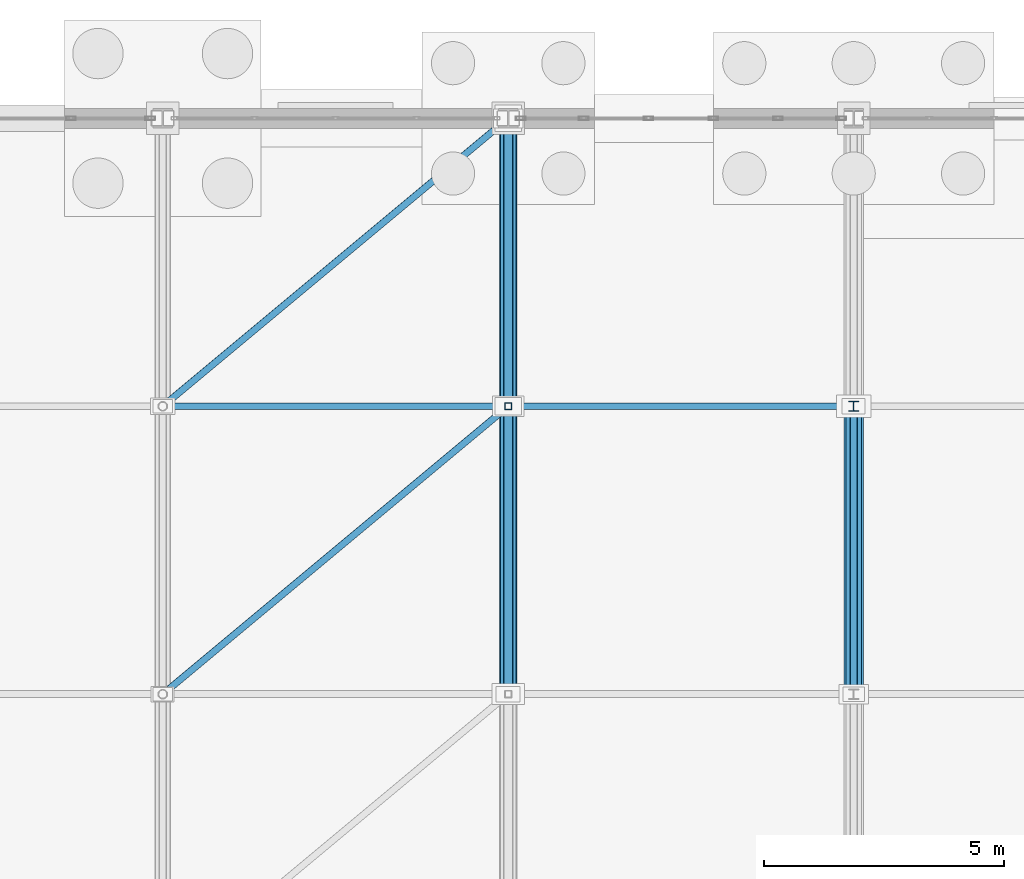
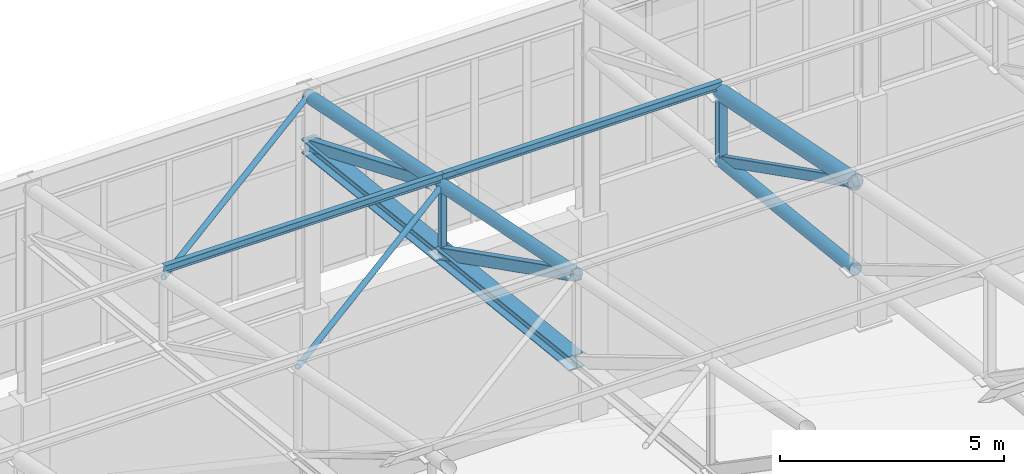
# One storey, part 213 of 293: 15 members.
"""IFC4 building model written with IfcOpenShell, lengths in metres."""

import ifcopenshell
import ifcopenshell.guid

model = None  # the IFC model being written
_history = None  # IfcOwnerHistory: only IFC2X3 demands one
_inside = {}  # id of a spatial element -> (the spatial element, [elements in it])
_under = {}  # id of a project, library or spatial element -> (it, [spatial elements below it])
_declared = {}  # id of a project -> (the project, [libraries it declares])
_typed = {}  # id of a type object -> (the type object, [elements of that type])
_made_of = {}  # id of a material, layer set ... -> (it, [elements and type objects made of it])


def new_model(schema):
    """Start an empty IFC model of exactly this schema.

    Asked for "IFC4X3", IfcOpenShell would pick the latest addendum, in which some entities
    have other attributes; the version numbers below select the first issue.
    IFC2X3 requires an IfcOwnerHistory on every rooted entity: one is made here for all.
    """
    global model, _history
    if schema == "IFC4X3":
        model = ifcopenshell.file(schema_version=(4, 3, 0, 0))
    else:
        model = ifcopenshell.file(schema=schema)
    _inside.clear()
    _under.clear()
    _declared.clear()
    _typed.clear()
    _made_of.clear()
    _history = None
    if model.schema == "IFC2X3":
        org = make("IfcOrganization", Name="unknown")
        user = make(
            "IfcPersonAndOrganization",
            ThePerson=make("IfcPerson", FamilyName="unknown"),
            TheOrganization=org,
        )
        app = make(
            "IfcApplication",
            ApplicationDeveloper=org,
            Version="unknown",
            ApplicationFullName="unknown",
            ApplicationIdentifier="unknown",
        )
        _history = make(
            "IfcOwnerHistory",
            OwningUser=user,
            OwningApplication=app,
            ChangeAction="ADDED",
            CreationDate=0,
        )
    return model


def make(cls, **values):
    """One entity of the class cls with the attributes given. An attribute that is None is left unset."""
    return model.create_entity(
        cls, **{name: value for name, value in values.items() if value is not None}
    )


def rooted(cls, **values):
    """An entity with a GlobalId (a new one), such as an element, a storey or a relation."""
    return make(cls, GlobalId=ifcopenshell.guid.new(), OwnerHistory=_history, **values)


def si_unit(unit_type, name, prefix=None):
    """IfcSIUnit, for example si_unit("LENGTHUNIT", "METRE", prefix="MILLI")."""
    return make("IfcSIUnit", UnitType=unit_type, Prefix=prefix, Name=name)


def assignment(units):
    """IfcUnitAssignment: the units of a project."""
    return None if units is None else make("IfcUnitAssignment", Units=units)


def point(xyz):
    """IfcCartesianPoint."""
    return None if xyz is None else make("IfcCartesianPoint", Coordinates=xyz)


def direction(xyz):
    """IfcDirection."""
    return None if xyz is None else make("IfcDirection", DirectionRatios=xyz)


def frame(location, z_axis=None, x_axis=None):
    """IfcAxis2Placement3D, a coordinate frame: its origin and axes. An axis left out is left unset."""
    return make(
        "IfcAxis2Placement3D",
        Location=point(location),
        Axis=direction(z_axis),
        RefDirection=direction(x_axis),
    )


def frame_2d(location, x_axis=None):
    """IfcAxis2Placement2D, a coordinate frame in the plane: its origin and x axis."""
    return make(
        "IfcAxis2Placement2D", Location=point(location), RefDirection=direction(x_axis)
    )


def origin():
    """The frame at (0, 0, 0) with its axes left unset."""
    return frame((0.0, 0.0, 0.0))


def origin_2d():
    """The frame at (0, 0) in the plane with its x axis left unset."""
    return frame_2d((0.0, 0.0))


def place(relative_to, where):
    """IfcLocalPlacement: puts the frame where relative to a parent placement (None: the world)."""
    return make(
        "IfcLocalPlacement", PlacementRelTo=relative_to, RelativePlacement=where
    )


def context(
    kind, dimensions, precision=None, world=None, true_north=None, identifier=None
):
    """IfcGeometricRepresentationContext, for example the 3D "Model" context."""
    return make(
        "IfcGeometricRepresentationContext",
        ContextIdentifier=identifier,
        ContextType=kind,
        CoordinateSpaceDimension=dimensions,
        Precision=precision,
        WorldCoordinateSystem=world,
        TrueNorth=true_north,
    )


def subcontext(parent, identifier, kind, view, scale=None):
    """IfcGeometricRepresentationSubContext, for example "Body" below "Model"."""
    return make(
        "IfcGeometricRepresentationSubContext",
        ContextIdentifier=identifier,
        ContextType=kind,
        ParentContext=parent,
        TargetScale=scale,
        TargetView=view,
    )


def project(units=None, contexts=None):
    """IfcProject with its units and contexts."""
    return rooted(
        "IfcProject",
        Name="project",
        RepresentationContexts=contexts,
        UnitsInContext=assignment(units),
    )


def spatial(cls, under=None, at=None, **own):
    """A site, building, storey or space (cls), placed at a placement, below another one or the project."""
    s = rooted(cls, ObjectPlacement=at, **own)
    if under is not None:
        _under.setdefault(under.id(), (under, []))[1].append(s)
    return s


def profile(cls, at=None, kind="AREA", **sizes):
    """A parametric profile (cls). Its sizes go by their IFC names, for example OverallWidth=200.0."""
    return make(cls, ProfileType=kind, Position=at, **sizes)


def hollow_rectangle(**sizes):
    """IfcRectangleHollowProfileDef."""
    return profile("IfcRectangleHollowProfileDef", **sizes)


def hollow_circle(**sizes):
    """IfcCircleHollowProfileDef."""
    return profile("IfcCircleHollowProfileDef", **sizes)


def i_section(**sizes):
    """IfcIShapeProfileDef."""
    return profile("IfcIShapeProfileDef", **sizes)


def extrude(swept, where, along, depth):
    """IfcExtrudedAreaSolid: the profile swept, set in the frame where, extruded along a direction by depth."""
    return make(
        "IfcExtrudedAreaSolid",
        SweptArea=swept,
        Position=where,
        ExtrudedDirection=direction(along),
        Depth=depth,
    )


def shape(context_of_items, identifier, shape_type, items):
    """IfcShapeRepresentation: the items that make up one representation, for example the "Body"."""
    return make(
        "IfcShapeRepresentation",
        ContextOfItems=context_of_items,
        RepresentationIdentifier=identifier,
        RepresentationType=shape_type,
        Items=items,
    )


def material(Name=None, Category=None):
    """IfcMaterial."""
    return make("IfcMaterial", Name=Name, Category=Category)


def material_profile(
    of_material, cross_section, Name=None, Category=None, Priority=None
):
    """IfcMaterialProfile: a cross section and its material."""
    return make(
        "IfcMaterialProfile",
        Name=Name,
        Material=of_material,
        Profile=cross_section,
        Priority=Priority,
        Category=Category,
    )


def profile_set(profiles, Name=None, composite=None):
    """IfcMaterialProfileSet."""
    return make(
        "IfcMaterialProfileSet",
        Name=Name,
        MaterialProfiles=profiles,
        CompositeProfile=composite,
    )


def made_of(thing, what):
    """Note that an element or type object is made of a material, layer set ...; save() writes the relation."""
    if what is not None:
        _made_of.setdefault(what.id(), (what, []))[1].append(thing)
    return thing


def type_object(cls, material=None, **own):
    """A type object (cls), such as IfcWallType, which elements share."""
    return made_of(rooted(cls, **own), material)


def element(
    cls,
    number,
    at=None,
    inside=None,
    cuts=None,
    type_object=None,
    material=None,
    context=None,
    identifier="Body",
    shape_type=None,
    held_by="IfcProductDefinitionShape",
    body=None,
    shapes=None,
    **own,
):
    """One element of the class cls, such as IfcWall. Its Tag is "e" and its number.

    at: its placement. inside: the storey or other place that contains it. cuts: it is an
    opening in that element (IfcRelVoidsElement). A single representation is given by context,
    identifier, shape_type and body (its items); several are given by shapes. held_by: the class
    of the entity that holds the representations. save() writes the other relations.
    """
    e = rooted(cls, Tag="e%d" % number, ObjectPlacement=at, **own)
    if body is not None:
        shapes = [shape(context, identifier, shape_type, body)]
    if shapes is not None:
        e.Representation = make(held_by, Representations=shapes)
    if inside is not None:
        _inside.setdefault(inside.id(), (inside, []))[1].append(e)
    if cuts is not None:
        rooted(
            "IfcRelVoidsElement", RelatingBuildingElement=cuts, RelatedOpeningElement=e
        )
    if type_object is not None:
        _typed.setdefault(type_object.id(), (type_object, []))[1].append(e)
    return made_of(e, material)


def aggregate(whole, parts):
    """IfcRelAggregates: a whole, such as a stair, and the parts it consists of."""
    return rooted("IfcRelAggregates", RelatingObject=whole, RelatedObjects=parts)


def save(model, path):
    """Write the relations noted so far, then the file.

    IfcRelAggregates (storeys below a building ...), IfcRelContainedInSpatialStructure (elements
    in a storey), IfcRelDefinesByType, IfcRelAssociatesMaterial and IfcRelDeclares: one each for
    every whole, place, type object, material and project.
    """
    for whole, parts in _under.values():
        aggregate(whole, parts)
    for where, things in _inside.values():
        rooted(
            "IfcRelContainedInSpatialStructure",
            RelatedElements=things,
            RelatingStructure=where,
        )
    for kind, things in _typed.values():
        rooted("IfcRelDefinesByType", RelatedObjects=things, RelatingType=kind)
    for what, things in _made_of.values():
        rooted("IfcRelAssociatesMaterial", RelatedObjects=things, RelatingMaterial=what)
    for by, libraries in _declared.values():
        rooted("IfcRelDeclares", RelatingContext=by, RelatedDefinitions=libraries)
    model.write(path)


model = new_model("IFC4")

# Units and contexts
model_context = context("Model", 3, precision=1e-05, world=origin(), true_north=direction((0.0, 1.0)))
body_context = subcontext(model_context, "Body", "Model", "MODEL_VIEW")
ifc_project = project(units=[si_unit("LENGTHUNIT", "METRE"), si_unit("AREAUNIT", "SQUARE_METRE"), si_unit("VOLUMEUNIT", "CUBIC_METRE"), si_unit("PLANEANGLEUNIT", "RADIAN"), si_unit("MASSUNIT", "GRAM", prefix="KILO")], contexts=[model_context])

# Site, building, storey
site_placement = place(None, origin())
site = spatial("IfcSite", under=ifc_project, at=site_placement, CompositionType="ELEMENT")
building_placement = place(site_placement, origin())
building = spatial("IfcBuilding", under=site, at=building_placement, Name="Kemerveld Promenade Tramway Depot", CompositionType="ELEMENT")
storey_placement = place(building_placement, origin())
storey = spatial("IfcBuildingStorey", under=building, at=storey_placement, Name="L00", CompositionType="ELEMENT", Elevation=0.0)

# Members
ifc_material = material(Name="Steel S355", Category="steel")
ifc_material_profile_1 = material_profile(ifc_material, hollow_rectangle(XDim=0.199951171875, YDim=0.300048828125, WallThickness=0.012451171875, InnerFilletRadius=0.00634765625, OuterFilletRadius=0.018798828125, at=origin_2d()), Name="300x200x12.5 RHS")
ifc_profile_set_1 = profile_set([ifc_material_profile_1], Name="Steel S355")
member_type_1 = type_object("IfcMemberType", Name="MB-M01", PredefinedType="BRACE", material=ifc_profile_set_1)
member_1_placement = place(storey_placement, frame((115.199951171875, 138.0, 10.4599609375), z_axis=(0.0, -0.892033434612, 0.451969414379), x_axis=(1.0, 0.0, 0.0)))
element("IfcMember", 1, at=member_1_placement, inside=storey, type_object=member_type_1, Name="TR-17-DG-09", PredefinedType="BRACE", context=body_context, shape_type="SweptSolid", body=[
    extrude(hollow_rectangle(XDim=0.199951171875, YDim=0.300048828125, WallThickness=0.012451171875, InnerFilletRadius=0.00634765625, OuterFilletRadius=0.018798828125, at=origin_2d()), origin(), (0.0, 0.0, 1.0), 6.726318359375),
])
member_2_placement = place(storey_placement, frame((115.199951171875, 144.0, 9.800048828125), z_axis=(0.0, -0.923076923077, 0.384615384615), x_axis=(1.0, 0.0, 0.0)))
element("IfcMember", 2, at=member_2_placement, inside=storey, type_object=member_type_1, Name="TR-17-DG-10", PredefinedType="BRACE", context=body_context, shape_type="SweptSolid", body=[
    extrude(hollow_rectangle(XDim=0.199951171875, YDim=0.300048828125, WallThickness=0.012451171875, InnerFilletRadius=0.00634765625, OuterFilletRadius=0.018798828125, at=origin_2d()), origin(), (0.0, 0.0, 1.0), 6.5),
])
ifc_material_profile_2 = material_profile(ifc_material, hollow_rectangle(XDim=0.14990234375, YDim=0.25, WallThickness=0.010009765625, InnerFilletRadius=0.0048828125, OuterFilletRadius=0.014892578125, at=origin_2d()), Name="250x150x10.0 RHS")
ifc_profile_set_2 = profile_set([ifc_material_profile_2], Name="Steel S355")
member_type_2 = type_object("IfcMemberType", Name="MB-M02", PredefinedType="BRACE", material=ifc_profile_set_2)
member_3_placement = place(storey_placement, frame((122.39990234375, 138.0, 10.4599609375), z_axis=(0.0, -0.892033434612, 0.451969414379), x_axis=(1.0, 0.0, 0.0)))
element("IfcMember", 3, at=member_3_placement, inside=storey, type_object=member_type_2, Name="TR-18-DG-09", PredefinedType="BRACE", context=body_context, shape_type="SweptSolid", body=[
    extrude(hollow_rectangle(XDim=0.14990234375, YDim=0.25, WallThickness=0.010009765625, InnerFilletRadius=0.0048828125, OuterFilletRadius=0.014892578125, at=origin_2d()), origin(), (0.0, 0.0, 1.0), 6.726318359375),
])
ifc_material_profile_3 = material_profile(ifc_material, i_section(OverallWidth=0.37255859375, OverallDepth=0.3681640625, WebThickness=0.014404296875, FlangeThickness=0.023681640625, FilletRadius=0.01513671875, at=origin_2d()), Name="356x368x177 UC")
ifc_profile_set_3 = profile_set([ifc_material_profile_3], Name="Steel S355")
member_type_3 = type_object("IfcMemberType", Name="MB-M08", PredefinedType="CHORD", material=ifc_profile_set_3)
for number, where, z_axis, x_axis, name in (
    (4, (115.199951171875, 132.0, 11.1201171875), (0.0, 0.994001542248, -0.109366055104), (-1.0, 0.0, 0.0), "TR-17-BC-09"),
    (5, (115.199951171875, 138.0, 10.4599609375), (0.0, 0.994005938353, -0.109326092585), (-1.0, 0.0, 0.0), "TR-17-BC-10"),
):
    element("IfcMember", number, at=place(storey_placement, frame(where, z_axis=z_axis, x_axis=x_axis)), inside=storey, type_object=member_type_3, Name=name, PredefinedType="CHORD", context=body_context, shape_type="SweptSolid", body=[
        extrude(i_section(OverallWidth=0.37255859375, OverallDepth=0.3681640625, WebThickness=0.014404296875, FlangeThickness=0.023681640625, FilletRadius=0.01513671875, at=origin_2d()), origin(), (0.0, 0.0, 1.0), 6.0361328125),
    ])
ifc_material_profile_4 = material_profile(ifc_material, i_section(OverallWidth=0.13330078125, OverallDepth=0.203125, WebThickness=0.005615234375, FlangeThickness=0.0078125, FilletRadius=0.007568359375, at=origin_2d()), Name="203x133x25 UB")
ifc_profile_set_4 = profile_set([ifc_material_profile_4], Name="Steel S355")
member_type_4 = type_object("IfcMemberType", Name="MB-PR4", PredefinedType="PURLIN", material=ifc_profile_set_4)
for number, where, z_axis, x_axis, name in (
    (6, (108.0, 138.0, 12.544921875), (1.0, 0.0, 0.0), (0.0, 1.0, 0.0), "PUR-V1-09-16"),
    (7, (115.199951171875, 138.0, 12.544921875), (1.0, 0.0, 0.0), (0.0, 1.0, 0.0), "PUR-V1-09-17"),
):
    element("IfcMember", number, at=place(storey_placement, frame(where, z_axis=z_axis, x_axis=x_axis)), inside=storey, type_object=member_type_4, Name=name, PredefinedType="PURLIN", context=body_context, shape_type="SweptSolid", body=[
        extrude(i_section(OverallWidth=0.13330078125, OverallDepth=0.203125, WebThickness=0.005615234375, FlangeThickness=0.0078125, FilletRadius=0.007568359375, at=origin_2d()), origin(), (0.0, 0.0, 1.0), 7.199951171875),
    ])
ifc_material_profile_5 = material_profile(ifc_material, hollow_circle(Radius=0.06982421875, WallThickness=0.00634765625, at=origin_2d()), Name="139.7x6.3 CHS")
ifc_profile_set_5 = profile_set([ifc_material_profile_5], Name="Steel S355")
member_type_5 = type_object("IfcMemberType", Name="MB-TB3", PredefinedType="BRACE", material=ifc_profile_set_5)
for number, where, z_axis, x_axis, name in (
    (8, (108.0, 132.0, 13.5), (0.761999094998, 0.635003552225, -0.126995542773), (-0.640186961885, 0.768219144407, 0.0), "RBR-V1-08-16"),
    (9, (108.0, 138.0, 12.300048828125), (0.761999094998, 0.635003552225, -0.126995542773), (-0.640186961885, 0.768219144407, 0.0), "RBR-V1-09-16"),
):
    element("IfcMember", number, at=place(storey_placement, frame(where, z_axis=z_axis, x_axis=x_axis)), inside=storey, type_object=member_type_5, Name=name, PredefinedType="BRACE", context=body_context, shape_type="SweptSolid", body=[
        extrude(hollow_circle(Radius=0.06982421875, WallThickness=0.00634765625, at=origin_2d()), origin(), (0.0, 0.0, 1.0), 9.44873046875),
    ])
ifc_material_profile_6 = material_profile(ifc_material, hollow_circle(Radius=0.203125, WallThickness=0.01611328125, at=origin_2d()), Name="406.4x16.0 CHS")
ifc_profile_set_6 = profile_set([ifc_material_profile_6], Name="Steel S355")
member_type_6 = type_object("IfcMemberType", Name="MB-TC1", PredefinedType="CHORD", material=ifc_profile_set_6)
member_4_placement = place(storey_placement, frame((122.39990234375, 132.0, 13.5), z_axis=(0.0, 0.980582210276, -0.196108462057), x_axis=(-1.0, 0.0, 0.0)))
element("IfcMember", 10, at=member_4_placement, inside=storey, type_object=member_type_6, Name="TR-18-TC-09", PredefinedType="CHORD", context=body_context, shape_type="SweptSolid", body=[
    extrude(hollow_circle(Radius=0.203125, WallThickness=0.01611328125, at=origin_2d()), origin(), (0.0, 0.0, 1.0), 6.118896484375),
])
ifc_material_profile_7 = material_profile(ifc_material, hollow_circle(Radius=0.161865234375, WallThickness=0.012451171875, at=origin_2d()), Name="323.9x12.5 CHS")
ifc_profile_set_7 = profile_set([ifc_material_profile_7], Name="Steel S355")
member_type_7 = type_object("IfcMemberType", Name="MB-TC2", PredefinedType="CHORD", material=ifc_profile_set_7)
for number, where, z_axis, x_axis, name in (
    (11, (115.199951171875, 132.0, 13.5), (0.0, 0.980582210276, -0.196108462057), (-1.0, 0.0, 0.0), "TR-17-TC-09"),
    (12, (115.199951171875, 138.0, 12.300048828125), (0.0, 0.980582210276, -0.196108462057), (-1.0, 0.0, 0.0), "TR-17-TC-10"),
):
    element("IfcMember", number, at=place(storey_placement, frame(where, z_axis=z_axis, x_axis=x_axis)), inside=storey, type_object=member_type_7, Name=name, PredefinedType="CHORD", context=body_context, shape_type="SweptSolid", body=[
        extrude(hollow_circle(Radius=0.161865234375, WallThickness=0.012451171875, at=origin_2d()), origin(), (0.0, 0.0, 1.0), 6.118896484375),
    ])
member_5_placement = place(storey_placement, frame((122.39990234375, 132.0, 11.1201171875), z_axis=(0.0, 0.994001542248, -0.109366055104), x_axis=(-1.0, 0.0, 0.0)))
element("IfcMember", 13, at=member_5_placement, inside=storey, type_object=member_type_7, Name="TR-18-BC-09", PredefinedType="CHORD", context=body_context, shape_type="SweptSolid", body=[
    extrude(hollow_circle(Radius=0.161865234375, WallThickness=0.012451171875, at=origin_2d()), origin(), (0.0, 0.0, 1.0), 6.0361328125),
])
ifc_material_profile_8 = material_profile(ifc_material, hollow_rectangle(XDim=0.14990234375, YDim=0.14990234375, WallThickness=0.008056640625, InnerFilletRadius=0.00390625, OuterFilletRadius=0.011962890625, at=origin_2d()), Name="150x150x8.0 SHS")
ifc_profile_set_8 = profile_set([ifc_material_profile_8], Name="Steel S355")
member_type_8 = type_object("IfcMemberType", Name="MB-TP2", PredefinedType="POST", material=ifc_profile_set_8)
member_6_placement = place(storey_placement, frame((115.199951171875, 138.0, 10.4599609375), z_axis=(0.0, 0.0, 1.0), x_axis=(1.0, 0.0, 0.0)))
element("IfcMember", 14, at=member_6_placement, inside=storey, type_object=member_type_8, Name="TR-17-VT-09", PredefinedType="POST", context=body_context, shape_type="SweptSolid", body=[
    extrude(hollow_rectangle(XDim=0.14990234375, YDim=0.14990234375, WallThickness=0.008056640625, InnerFilletRadius=0.00390625, OuterFilletRadius=0.011962890625, at=origin_2d()), origin(), (0.0, 0.0, 1.0), 1.840087890625),
])
ifc_material_profile_9 = material_profile(ifc_material, i_section(OverallWidth=0.205810546875, OverallDepth=0.209716796875, WebThickness=0.009521484375, FlangeThickness=0.01416015625, FilletRadius=0.01025390625, at=origin_2d()), Name="203x203x60 UC")
ifc_profile_set_9 = profile_set([ifc_material_profile_9], Name="Steel S355")
member_type_9 = type_object("IfcMemberType", Name="MB-TP3", PredefinedType="POST", material=ifc_profile_set_9)
member_7_placement = place(storey_placement, frame((122.39990234375, 138.0, 10.4599609375), z_axis=(0.0, 0.0, 1.0), x_axis=(1.0, 0.0, 0.0)))
element("IfcMember", 15, at=member_7_placement, inside=storey, type_object=member_type_9, Name="TR-18-VT-09", PredefinedType="POST", context=body_context, shape_type="SweptSolid", body=[
    extrude(i_section(OverallWidth=0.205810546875, OverallDepth=0.209716796875, WebThickness=0.009521484375, FlangeThickness=0.01416015625, FilletRadius=0.01025390625, at=origin_2d()), origin(), (0.0, 0.0, 1.0), 1.840087890625),
])

save(model, "model.ifc")
